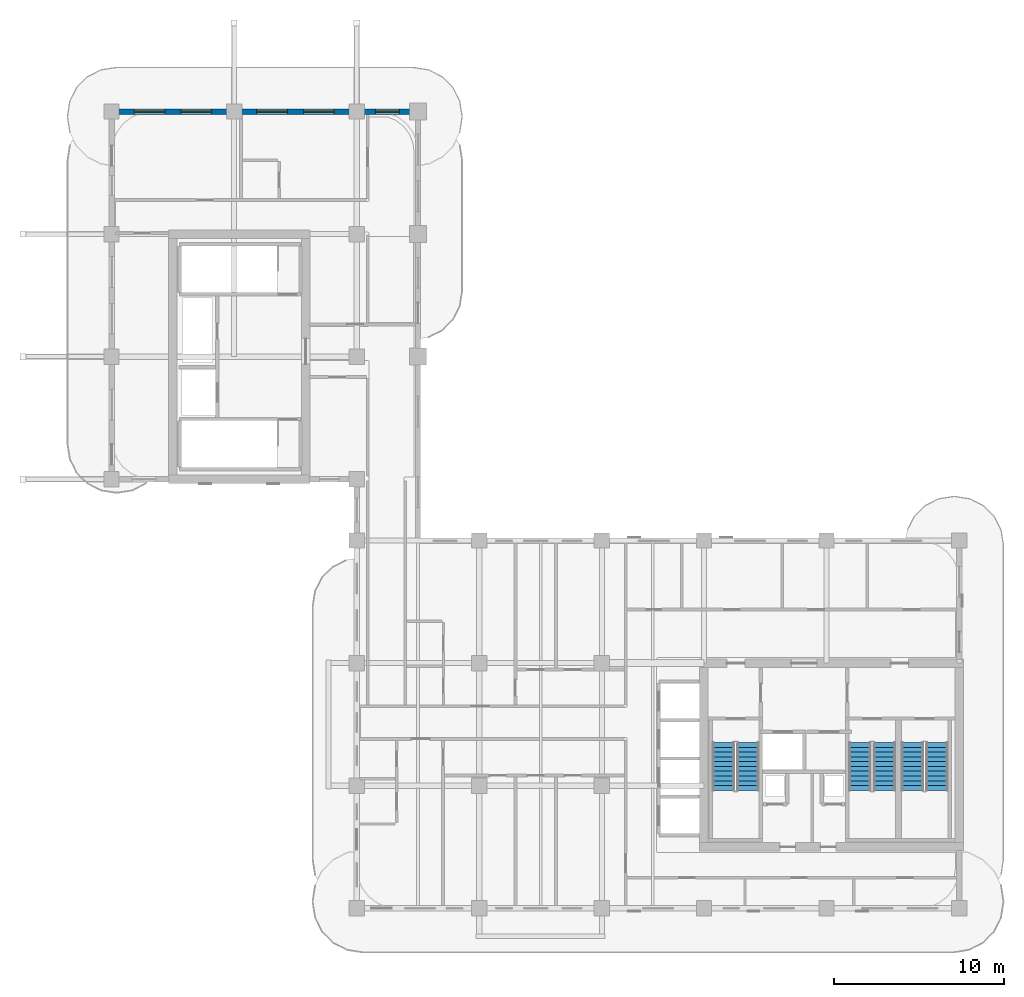
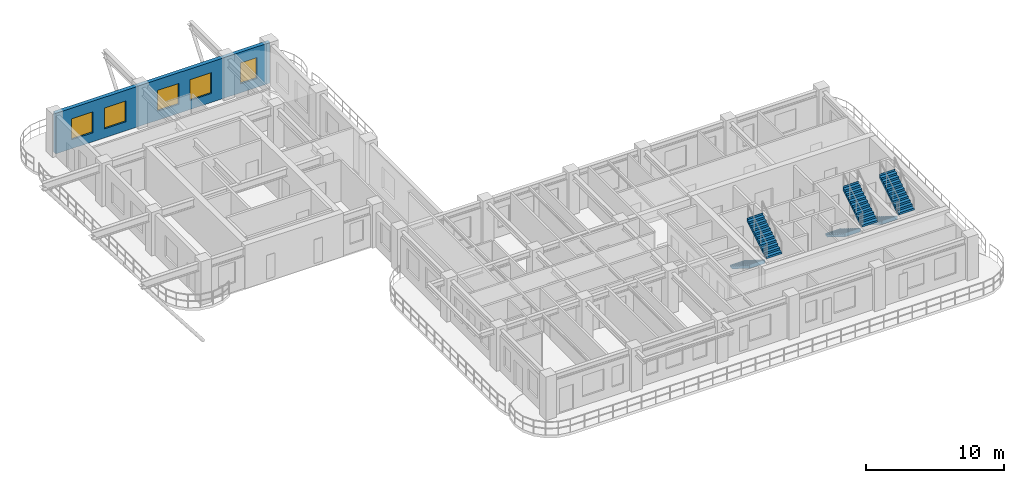
# One storey, part 11 of 14: 6 stair flights, 5 windows, 1 wall, 5 openings, 3 elements without a shape of their own.
"""IFC4 building model written with IfcOpenShell, lengths in metres."""

import ifcopenshell
import ifcopenshell.guid

model = None  # the IFC model being written
_history = None  # IfcOwnerHistory: only IFC2X3 demands one
_inside = {}  # id of a spatial element -> (the spatial element, [elements in it])
_under = {}  # id of a project, library or spatial element -> (it, [spatial elements below it])
_declared = {}  # id of a project -> (the project, [libraries it declares])
_typed = {}  # id of a type object -> (the type object, [elements of that type])
_made_of = {}  # id of a material, layer set ... -> (it, [elements and type objects made of it])


def new_model(schema):
    """Start an empty IFC model of exactly this schema.

    Asked for "IFC4X3", IfcOpenShell would pick the latest addendum, in which some entities
    have other attributes; the version numbers below select the first issue.
    IFC2X3 requires an IfcOwnerHistory on every rooted entity: one is made here for all.
    """
    global model, _history
    if schema == "IFC4X3":
        model = ifcopenshell.file(schema_version=(4, 3, 0, 0))
    else:
        model = ifcopenshell.file(schema=schema)
    _inside.clear()
    _under.clear()
    _declared.clear()
    _typed.clear()
    _made_of.clear()
    _history = None
    if model.schema == "IFC2X3":
        org = make("IfcOrganization", Name="unknown")
        user = make(
            "IfcPersonAndOrganization",
            ThePerson=make("IfcPerson", FamilyName="unknown"),
            TheOrganization=org,
        )
        app = make(
            "IfcApplication",
            ApplicationDeveloper=org,
            Version="unknown",
            ApplicationFullName="unknown",
            ApplicationIdentifier="unknown",
        )
        _history = make(
            "IfcOwnerHistory",
            OwningUser=user,
            OwningApplication=app,
            ChangeAction="ADDED",
            CreationDate=0,
        )
    return model


def make(cls, **values):
    """One entity of the class cls with the attributes given. An attribute that is None is left unset."""
    return model.create_entity(
        cls, **{name: value for name, value in values.items() if value is not None}
    )


def rooted(cls, **values):
    """An entity with a GlobalId (a new one), such as an element, a storey or a relation."""
    return make(cls, GlobalId=ifcopenshell.guid.new(), OwnerHistory=_history, **values)


def si_unit(unit_type, name, prefix=None):
    """IfcSIUnit, for example si_unit("LENGTHUNIT", "METRE", prefix="MILLI")."""
    return make("IfcSIUnit", UnitType=unit_type, Prefix=prefix, Name=name)


def derived_unit(unit_type, elements):
    """IfcDerivedUnit: a product of units, each with its exponent."""
    return make(
        "IfcDerivedUnit",
        Elements=[
            make("IfcDerivedUnitElement", Unit=unit, Exponent=power)
            for unit, power in elements
        ],
        UnitType=unit_type,
    )


def assignment(units):
    """IfcUnitAssignment: the units of a project."""
    return None if units is None else make("IfcUnitAssignment", Units=units)


def point(xyz):
    """IfcCartesianPoint."""
    return None if xyz is None else make("IfcCartesianPoint", Coordinates=xyz)


def direction(xyz):
    """IfcDirection."""
    return None if xyz is None else make("IfcDirection", DirectionRatios=xyz)


def frame(location, z_axis=None, x_axis=None):
    """IfcAxis2Placement3D, a coordinate frame: its origin and axes. An axis left out is left unset."""
    return make(
        "IfcAxis2Placement3D",
        Location=point(location),
        Axis=direction(z_axis),
        RefDirection=direction(x_axis),
    )


def frame_2d(location, x_axis=None):
    """IfcAxis2Placement2D, a coordinate frame in the plane: its origin and x axis."""
    return make(
        "IfcAxis2Placement2D", Location=point(location), RefDirection=direction(x_axis)
    )


def origin():
    """The frame at (0, 0, 0) with its axes left unset."""
    return frame((0.0, 0.0, 0.0))


def place(relative_to, where):
    """IfcLocalPlacement: puts the frame where relative to a parent placement (None: the world)."""
    return make(
        "IfcLocalPlacement", PlacementRelTo=relative_to, RelativePlacement=where
    )


def context(
    kind, dimensions, precision=None, world=None, true_north=None, identifier=None
):
    """IfcGeometricRepresentationContext, for example the 3D "Model" context."""
    return make(
        "IfcGeometricRepresentationContext",
        ContextIdentifier=identifier,
        ContextType=kind,
        CoordinateSpaceDimension=dimensions,
        Precision=precision,
        WorldCoordinateSystem=world,
        TrueNorth=true_north,
    )


def subcontext(parent, identifier, kind, view, scale=None):
    """IfcGeometricRepresentationSubContext, for example "Body" below "Model"."""
    return make(
        "IfcGeometricRepresentationSubContext",
        ContextIdentifier=identifier,
        ContextType=kind,
        ParentContext=parent,
        TargetScale=scale,
        TargetView=view,
    )


def project(units=None, contexts=None):
    """IfcProject with its units and contexts."""
    return rooted(
        "IfcProject",
        Name="project",
        RepresentationContexts=contexts,
        UnitsInContext=assignment(units),
    )


def spatial(cls, under=None, at=None, **own):
    """A site, building, storey or space (cls), placed at a placement, below another one or the project."""
    s = rooted(cls, ObjectPlacement=at, **own)
    if under is not None:
        _under.setdefault(under.id(), (under, []))[1].append(s)
    return s


def polyline(points):
    """IfcPolyline through the points."""
    return make("IfcPolyline", Points=[point(p) for p in points])


def profile(cls, at=None, kind="AREA", **sizes):
    """A parametric profile (cls). Its sizes go by their IFC names, for example OverallWidth=200.0."""
    return make(cls, ProfileType=kind, Position=at, **sizes)


def rectangle(**sizes):
    """IfcRectangleProfileDef."""
    return profile("IfcRectangleProfileDef", **sizes)


def outline(outer, holes=None, kind="AREA"):
    """IfcArbitraryClosedProfileDef: a profile drawn as a closed curve; with holes, ...WithVoids."""
    if holes is None:
        return make("IfcArbitraryClosedProfileDef", ProfileType=kind, OuterCurve=outer)
    return make(
        "IfcArbitraryProfileDefWithVoids",
        ProfileType=kind,
        OuterCurve=outer,
        InnerCurves=holes,
    )


def extrude(swept, where, along, depth):
    """IfcExtrudedAreaSolid: the profile swept, set in the frame where, extruded along a direction by depth."""
    return make(
        "IfcExtrudedAreaSolid",
        SweptArea=swept,
        Position=where,
        ExtrudedDirection=direction(along),
        Depth=depth,
    )


def shape(context_of_items, identifier, shape_type, items):
    """IfcShapeRepresentation: the items that make up one representation, for example the "Body"."""
    return make(
        "IfcShapeRepresentation",
        ContextOfItems=context_of_items,
        RepresentationIdentifier=identifier,
        RepresentationType=shape_type,
        Items=items,
    )


def source(mapping_origin, context_of_items, identifier, shape_type, items):
    """IfcRepresentationMap: a shape defined once, which mapped items show again and again."""
    return make(
        "IfcRepresentationMap",
        MappingOrigin=mapping_origin,
        MappedRepresentation=shape(context_of_items, identifier, shape_type, items),
    )


def transform(
    local_origin,
    x_axis=None,
    y_axis=None,
    z_axis=None,
    scale=None,
    scale2=None,
    scale3=None,
    uniform=True,
):
    """IfcCartesianTransformationOperator3D, or its non-uniform kind. x_axis, y_axis, z_axis: its Axis1, 2, 3."""
    if uniform:
        return make(
            "IfcCartesianTransformationOperator3D",
            Axis1=direction(x_axis),
            Axis2=direction(y_axis),
            LocalOrigin=point(local_origin),
            Scale=scale,
            Axis3=direction(z_axis),
        )
    return make(
        "IfcCartesianTransformationOperator3DnonUniform",
        Axis1=direction(x_axis),
        Axis2=direction(y_axis),
        LocalOrigin=point(local_origin),
        Scale=scale,
        Axis3=direction(z_axis),
        Scale2=scale2,
        Scale3=scale3,
    )


def mapped(mapping_source, mapping_target):
    """IfcMappedItem: shows the shape of a source again, moved by a transform."""
    return make(
        "IfcMappedItem", MappingSource=mapping_source, MappingTarget=mapping_target
    )


def material(Name=None, Category=None):
    """IfcMaterial."""
    return make("IfcMaterial", Name=Name, Category=Category)


def layer(
    of_material, thickness, ventilated=None, Name=None, Category=None, Priority=None
):
    """IfcMaterialLayer: one layer of a wall or slab, of a material (None: an air gap)."""
    return make(
        "IfcMaterialLayer",
        Material=of_material,
        LayerThickness=thickness,
        IsVentilated=ventilated,
        Name=Name,
        Category=Category,
        Priority=Priority,
    )


def layer_set(layers, Name=None):
    """IfcMaterialLayerSet."""
    return make("IfcMaterialLayerSet", MaterialLayers=layers, LayerSetName=Name)


def made_of(thing, what):
    """Note that an element or type object is made of a material, layer set ...; save() writes the relation."""
    if what is not None:
        _made_of.setdefault(what.id(), (what, []))[1].append(thing)
    return thing


def type_object(cls, material=None, **own):
    """A type object (cls), such as IfcWallType, which elements share."""
    return made_of(rooted(cls, **own), material)


def type_shapes(of_type, sources):
    """Give a type object the sources (RepresentationMaps) that its elements show as mapped items."""
    of_type.RepresentationMaps = sources


def element(
    cls,
    number,
    at=None,
    inside=None,
    cuts=None,
    type_object=None,
    material=None,
    context=None,
    identifier="Body",
    shape_type=None,
    held_by="IfcProductDefinitionShape",
    body=None,
    shapes=None,
    **own,
):
    """One element of the class cls, such as IfcWall. Its Tag is "e" and its number.

    at: its placement. inside: the storey or other place that contains it. cuts: it is an
    opening in that element (IfcRelVoidsElement). A single representation is given by context,
    identifier, shape_type and body (its items); several are given by shapes. held_by: the class
    of the entity that holds the representations. save() writes the other relations.
    """
    e = rooted(cls, Tag="e%d" % number, ObjectPlacement=at, **own)
    if body is not None:
        shapes = [shape(context, identifier, shape_type, body)]
    if shapes is not None:
        e.Representation = make(held_by, Representations=shapes)
    if inside is not None:
        _inside.setdefault(inside.id(), (inside, []))[1].append(e)
    if cuts is not None:
        rooted(
            "IfcRelVoidsElement", RelatingBuildingElement=cuts, RelatedOpeningElement=e
        )
    if type_object is not None:
        _typed.setdefault(type_object.id(), (type_object, []))[1].append(e)
    return made_of(e, material)


def fill(opening, filler):
    """IfcRelFillsElement: the door or window that sits in an opening."""
    return rooted(
        "IfcRelFillsElement",
        RelatingOpeningElement=opening,
        RelatedBuildingElement=filler,
    )


def aggregate(whole, parts):
    """IfcRelAggregates: a whole, such as a stair, and the parts it consists of."""
    return rooted("IfcRelAggregates", RelatingObject=whole, RelatedObjects=parts)


def save(model, path):
    """Write the relations noted so far, then the file.

    IfcRelAggregates (storeys below a building ...), IfcRelContainedInSpatialStructure (elements
    in a storey), IfcRelDefinesByType, IfcRelAssociatesMaterial and IfcRelDeclares: one each for
    every whole, place, type object, material and project.
    """
    for whole, parts in _under.values():
        aggregate(whole, parts)
    for where, things in _inside.values():
        rooted(
            "IfcRelContainedInSpatialStructure",
            RelatedElements=things,
            RelatingStructure=where,
        )
    for kind, things in _typed.values():
        rooted("IfcRelDefinesByType", RelatedObjects=things, RelatingType=kind)
    for what, things in _made_of.values():
        rooted("IfcRelAssociatesMaterial", RelatedObjects=things, RelatingMaterial=what)
    for by, libraries in _declared.values():
        rooted("IfcRelDeclares", RelatingContext=by, RelatedDefinitions=libraries)
    model.write(path)


model = new_model("IFC4")

# Units and contexts
model_context = context("Model", 3, precision=1e-05, world=origin(), true_north=direction((0.0, 1.0)))
body_context = subcontext(model_context, "Body", "Model", "MODEL_VIEW")
ifc_project = project(units=[si_unit("LENGTHUNIT", "METRE"), si_unit("AREAUNIT", "SQUARE_METRE"), si_unit("VOLUMEUNIT", "CUBIC_METRE"), si_unit("PLANEANGLEUNIT", "RADIAN"), si_unit("MASSUNIT", "GRAM", prefix="KILO"), si_unit("THERMODYNAMICTEMPERATUREUNIT", "KELVIN"), si_unit("POWERUNIT", "WATT"), derived_unit("THERMALTRANSMITTANCEUNIT", [(si_unit("POWERUNIT", "WATT"), 1), (si_unit("AREAUNIT", "SQUARE_METRE"), -1), (si_unit("THERMODYNAMICTEMPERATUREUNIT", "KELVIN"), -1)])], contexts=[model_context])

# Site, building, storey
site_placement = place(None, origin())
site = spatial("IfcSite", under=ifc_project, at=site_placement, CompositionType="ELEMENT")
building_placement = place(site_placement, origin())
building = spatial("IfcBuilding", under=site, at=building_placement, Name="Zahravan Archway Hotel and Residences", CompositionType="ELEMENT")
storey_placement = place(building_placement, frame((0.0, 0.0, 209.60009765625)))
storey = spatial("IfcBuildingStorey", under=building, at=storey_placement, Name="L52", CompositionType="ELEMENT", Elevation=209.60009765625)

# Wall, openings, windows
ifc_material_1 = material(Name="Agra Buff Sandstone & Insulated Backup", Category="masonry")
ifc_layer_1 = layer(ifc_material_1, 0.320068359375, Name="Agra Buff Sandstone & Insulated Backup", Category="masonry")
ifc_layer_set_1 = layer_set([ifc_layer_1], Name="Agra Buff Sandstone & Insulated Backup")
wall_type = type_object("IfcWallType", Name="EW-SAND-320", PredefinedType="SOLIDWALL", material=ifc_layer_set_1)
wall_placement = place(storey_placement, frame((0.0, 46.800048828125, 0.0), z_axis=(0.0, 0.0, 1.0), x_axis=(1.0, 0.0, 0.0)))
wall = element("IfcWall", 1, at=wall_placement, inside=storey, type_object=wall_type, Name="L52 Exterior Sandstone Wall WB-N", PredefinedType="SOLIDWALL", context=body_context, shape_type="SweptSolid", body=[
    extrude(rectangle(XDim=18.0, YDim=0.320068359375, at=frame_2d((9.0, 0.0))), origin(), (0.0, 0.0, 1.0), 3.599853515625),
])
opening_1_placement = place(wall_placement, frame((1.324951171875, 0.0, 0.800048828125)))
opening_1 = element("IfcOpeningElement", 2, at=opening_1_placement, cuts=wall, Name="Opening W-02", PredefinedType="OPENING", context=body_context, shape_type="SweptSolid", body=[
    extrude(rectangle(XDim=1.800048828125, YDim=1.85009765625, at=frame_2d((0.89990234375, 0.925048828125))), frame((0.0, 0.169921875, 0.0), z_axis=(0.0, -1.0, 0.0), x_axis=(1.0, 0.0, 0.0)), (0.0, 0.0, 1.0), 0.340087890625),
])
opening_2_placement = place(wall_placement, frame((4.074951171875, 0.0, 0.800048828125)))
opening_2 = element("IfcOpeningElement", 3, at=opening_2_placement, cuts=wall, Name="Opening W-02", PredefinedType="OPENING", context=body_context, shape_type="SweptSolid", body=[
    extrude(rectangle(XDim=1.800048828125, YDim=1.85009765625, at=frame_2d((0.89990234375, 0.925048828125))), frame((0.0, 0.169921875, 0.0), z_axis=(0.0, -1.0, 0.0), x_axis=(1.0, 0.0, 0.0)), (0.0, 0.0, 1.0), 0.340087890625),
])
opening_3_placement = place(wall_placement, frame((8.52490234375, 0.0, 0.800048828125)))
opening_3 = element("IfcOpeningElement", 4, at=opening_3_placement, cuts=wall, Name="Opening W-02", PredefinedType="OPENING", context=body_context, shape_type="SweptSolid", body=[
    extrude(rectangle(XDim=1.800048828125, YDim=1.85009765625, at=frame_2d((0.89990234375, 0.925048828125))), frame((0.0, 0.169921875, 0.0), z_axis=(0.0, -1.0, 0.0), x_axis=(1.0, 0.0, 0.0)), (0.0, 0.0, 1.0), 0.340087890625),
])
opening_4_placement = place(wall_placement, frame((11.27490234375, 0.0, 0.800048828125)))
opening_4 = element("IfcOpeningElement", 5, at=opening_4_placement, cuts=wall, Name="Opening W-02", PredefinedType="OPENING", context=body_context, shape_type="SweptSolid", body=[
    extrude(rectangle(XDim=1.800048828125, YDim=1.85009765625, at=frame_2d((0.89990234375, 0.925048828125))), frame((0.0, 0.169921875, 0.0), z_axis=(0.0, -1.0, 0.0), x_axis=(1.0, 0.0, 0.0)), (0.0, 0.0, 1.0), 0.340087890625),
])
opening_5_placement = place(wall_placement, frame((15.5, 0.0, 0.800048828125)))
opening_5 = element("IfcOpeningElement", 6, at=opening_5_placement, cuts=wall, Name="Opening W-03", PredefinedType="OPENING", context=body_context, shape_type="SweptSolid", body=[
    extrude(rectangle(XDim=1.39990234375, YDim=1.85009765625, at=frame_2d((0.699951171875, 0.925048828125))), frame((0.0, 0.169921875, 0.0), z_axis=(0.0, -1.0, 0.0), x_axis=(1.0, 0.0, 0.0)), (0.0, 0.0, 1.0), 0.340087890625),
])
ifc_material_2 = material(Name="Bronze-Anodized Thermal-Break Aluminium & Low-E Glass", Category="aluminium")
window_type_1 = type_object("IfcWindowType", Name="WIN-TWR-1400", PartitioningType="SINGLE_PANEL", PredefinedType="WINDOW", material=ifc_material_2)
shared_shape_1 = source(origin(), body_context, "Body", "SweptSolid", [
    extrude(rectangle(XDim=1.39990234375, YDim=1.85009765625, at=frame_2d((0.699951171875, 0.925048828125))), frame((0.0, 0.030029296875, 0.0), z_axis=(0.0, -1.0, 0.0), x_axis=(1.0, 0.0, 0.0)), (0.0, 0.0, 1.0), 0.06005859375),
])
type_shapes(window_type_1, [shared_shape_1])
window_1_placement = place(opening_5_placement, origin())
window_1 = element("IfcWindow", 7, at=window_1_placement, inside=storey, type_object=window_type_1, Name="L52 Loggia Window 39", OverallHeight=1.85009765625, OverallWidth=1.39990234375, PartitioningType="SINGLE_PANEL", PredefinedType="WINDOW", context=body_context, shape_type="MappedRepresentation", body=[
    mapped(shared_shape_1, transform((0.0, 0.0, 0.0), scale=1.0)),
])
fill(opening_5, window_1)
window_type_2 = type_object("IfcWindowType", Name="WIN-TWR-1800", PartitioningType="DOUBLE_PANEL_VERTICAL", PredefinedType="WINDOW", material=ifc_material_2)
shared_shape_2 = source(origin(), body_context, "Body", "SweptSolid", [
    extrude(rectangle(XDim=1.800048828125, YDim=1.85009765625, at=frame_2d((0.89990234375, 0.925048828125))), frame((0.0, 0.030029296875, 0.0), z_axis=(0.0, -1.0, 0.0), x_axis=(1.0, 0.0, 0.0)), (0.0, 0.0, 1.0), 0.06005859375),
])
type_shapes(window_type_2, [shared_shape_2])
window_2_placement = place(opening_1_placement, origin())
window_2 = element("IfcWindow", 8, at=window_2_placement, inside=storey, type_object=window_type_2, Name="L52 Loggia Window 35", OverallHeight=1.85009765625, OverallWidth=1.800048828125, PartitioningType="DOUBLE_PANEL_VERTICAL", PredefinedType="WINDOW", context=body_context, shape_type="MappedRepresentation", body=[
    mapped(shared_shape_2, transform((0.0, 0.0, 0.0), scale=1.0)),
])
fill(opening_1, window_2)
window_3_placement = place(opening_2_placement, origin())
window_3 = element("IfcWindow", 9, at=window_3_placement, inside=storey, type_object=window_type_2, Name="L52 Loggia Window 36", OverallHeight=1.85009765625, OverallWidth=1.800048828125, PartitioningType="DOUBLE_PANEL_VERTICAL", PredefinedType="WINDOW", context=body_context, shape_type="MappedRepresentation", body=[
    mapped(shared_shape_2, transform((0.0, 0.0, 0.0), scale=1.0)),
])
fill(opening_2, window_3)
window_4_placement = place(opening_3_placement, origin())
window_4 = element("IfcWindow", 10, at=window_4_placement, inside=storey, type_object=window_type_2, Name="L52 Loggia Window 37", OverallHeight=1.85009765625, OverallWidth=1.800048828125, PartitioningType="DOUBLE_PANEL_VERTICAL", PredefinedType="WINDOW", context=body_context, shape_type="MappedRepresentation", body=[
    mapped(shared_shape_2, transform((0.0, 0.0, 0.0), scale=1.0)),
])
fill(opening_3, window_4)
window_5_placement = place(opening_4_placement, origin())
window_5 = element("IfcWindow", 11, at=window_5_placement, inside=storey, type_object=window_type_2, Name="L52 Loggia Window 38", OverallHeight=1.85009765625, OverallWidth=1.800048828125, PartitioningType="DOUBLE_PANEL_VERTICAL", PredefinedType="WINDOW", context=body_context, shape_type="MappedRepresentation", body=[
    mapped(shared_shape_2, transform((0.0, 0.0, 0.0), scale=1.0)),
])
fill(opening_4, window_5)

# Stair, stair flights
ifc_material_3 = material(Name="Concrete C50/60", Category="concrete")
stair_type = type_object("IfcStairType", Name="STR-CORE-1300", PredefinedType="HALF_TURN_STAIR", material=ifc_material_3)
stair_1_placement = place(storey_placement, origin())
stair_1 = element("IfcStair", 12, at=stair_1_placement, inside=storey, type_object=stair_type, Name="L52 Core A Exit Stair 1", PredefinedType="HALF_TURN_STAIR")
ifc_layer_2 = layer(ifc_material_3, 0.199951171875, Name="Concrete C50/60", Category="concrete")
ifc_layer_set_2 = layer_set([ifc_layer_2], Name="Concrete C50/60")
stair_flight_type = type_object("IfcStairFlightType", Name="SFL-CORE-1300", PredefinedType="STRAIGHT", material=ifc_layer_set_2)
shared_shape_3 = source(origin(), body_context, "Body", "SweptSolid", [
    extrude(outline(polyline([(-0.01611328125, 0.0), (-0.01611328125, 0.175048828125), (0.280029296875, 0.175048828125), (0.280029296875, 0.35009765625), (0.56005859375, 0.35009765625), (0.56005859375, 0.52490234375), (0.840087890625, 0.52490234375), (0.840087890625, 0.699951171875), (1.1201171875, 0.699951171875), (1.1201171875, 0.875), (1.39990234375, 0.875), (1.39990234375, 1.050048828125), (1.679931640625, 1.050048828125), (1.679931640625, 1.22509765625), (1.9599609375, 1.22509765625), (1.9599609375, 1.39990234375), (2.239990234375, 1.39990234375), (2.239990234375, 1.574951171875), (2.52001953125, 1.574951171875), (2.52001953125, 1.75), (2.800048828125, 1.75), (2.800048828125, 1.925048828125), (2.816162109375, 1.925048828125), (2.816162109375, 1.5732421875), (0.28271484375, 0.0), (-0.01611328125, 0.0)])), frame((0.0, 0.64990234375, 0.0), z_axis=(0.0, -1.0, 0.0), x_axis=(1.0, 0.0, 0.0)), (0.0, 0.0, 1.0), 1.300048828125),
])
stair_flight_1_placement = place(storey_placement, frame((35.949951171875, 9.72998046875, 0.0), z_axis=(0.0, 0.0, 1.0), x_axis=(0.0, -1.0, 0.0)))
stair_flight_1 = element("IfcStairFlight", 13, at=stair_flight_1_placement, type_object=stair_flight_type, Name="ST-A1 flight 1", NumberOfRisers=11, NumberOfTreads=10, PredefinedType="STRAIGHT", RiserHeight=0.175, TreadLength=0.28, context=body_context, shape_type="MappedRepresentation", body=[
    mapped(shared_shape_3, transform((0.0, 0.0, 0.0), scale=1.0)),
])
stair_flight_2_placement = place(storey_placement, frame((37.389892578125, 6.929931640625, 1.9248046875), z_axis=(0.0, 0.0, 1.0), x_axis=(0.0, 1.0, 0.0)))
stair_flight_2 = element("IfcStairFlight", 14, at=stair_flight_2_placement, type_object=stair_flight_type, Name="ST-A1 flight 2", NumberOfRisers=11, NumberOfTreads=10, PredefinedType="STRAIGHT", RiserHeight=0.175, TreadLength=0.28, context=body_context, shape_type="MappedRepresentation", body=[
    mapped(shared_shape_3, transform((0.0, 0.0, 0.0), scale=1.0)),
])
aggregate(stair_1, [stair_flight_1, stair_flight_2])

stair_2_placement = place(storey_placement, origin())
stair_2 = element("IfcStair", 15, at=stair_2_placement, inside=storey, type_object=stair_type, Name="L52 Core A Exit Stair 2", PredefinedType="HALF_TURN_STAIR")
stair_flight_3_placement = place(storey_placement, frame((43.969970703125, 9.72998046875, 0.0), z_axis=(0.0, 0.0, 1.0), x_axis=(0.0, -1.0, 0.0)))
stair_flight_3 = element("IfcStairFlight", 16, at=stair_flight_3_placement, type_object=stair_flight_type, Name="ST-A2 flight 1", NumberOfRisers=11, NumberOfTreads=10, PredefinedType="STRAIGHT", RiserHeight=0.175, TreadLength=0.28, context=body_context, shape_type="MappedRepresentation", body=[
    mapped(shared_shape_3, transform((0.0, 0.0, 0.0), scale=1.0)),
])
stair_flight_4_placement = place(storey_placement, frame((45.409912109375, 6.929931640625, 1.9248046875), z_axis=(0.0, 0.0, 1.0), x_axis=(0.0, 1.0, 0.0)))
stair_flight_4 = element("IfcStairFlight", 17, at=stair_flight_4_placement, type_object=stair_flight_type, Name="ST-A2 flight 2", NumberOfRisers=11, NumberOfTreads=10, PredefinedType="STRAIGHT", RiserHeight=0.175, TreadLength=0.28, context=body_context, shape_type="MappedRepresentation", body=[
    mapped(shared_shape_3, transform((0.0, 0.0, 0.0), scale=1.0)),
])
aggregate(stair_2, [stair_flight_3, stair_flight_4])

stair_3_placement = place(storey_placement, origin())
stair_3 = element("IfcStair", 18, at=stair_3_placement, inside=storey, type_object=stair_type, Name="L52 Core A Exit Stair 3", PredefinedType="HALF_TURN_STAIR")
stair_flight_5_placement = place(storey_placement, frame((47.050048828125, 9.72998046875, 0.0), z_axis=(0.0, 0.0, 1.0), x_axis=(0.0, -1.0, 0.0)))
stair_flight_5 = element("IfcStairFlight", 19, at=stair_flight_5_placement, type_object=stair_flight_type, Name="ST-A3 flight 1", NumberOfRisers=11, NumberOfTreads=10, PredefinedType="STRAIGHT", RiserHeight=0.175, TreadLength=0.28, context=body_context, shape_type="MappedRepresentation", body=[
    mapped(shared_shape_3, transform((0.0, 0.0, 0.0), scale=1.0)),
])
stair_flight_6_placement = place(storey_placement, frame((48.489990234375, 6.929931640625, 1.9248046875), z_axis=(0.0, 0.0, 1.0), x_axis=(0.0, 1.0, 0.0)))
stair_flight_6 = element("IfcStairFlight", 20, at=stair_flight_6_placement, type_object=stair_flight_type, Name="ST-A3 flight 2", NumberOfRisers=11, NumberOfTreads=10, PredefinedType="STRAIGHT", RiserHeight=0.175, TreadLength=0.28, context=body_context, shape_type="MappedRepresentation", body=[
    mapped(shared_shape_3, transform((0.0, 0.0, 0.0), scale=1.0)),
])
aggregate(stair_3, [stair_flight_5, stair_flight_6])

save(model, "model.ifc")
